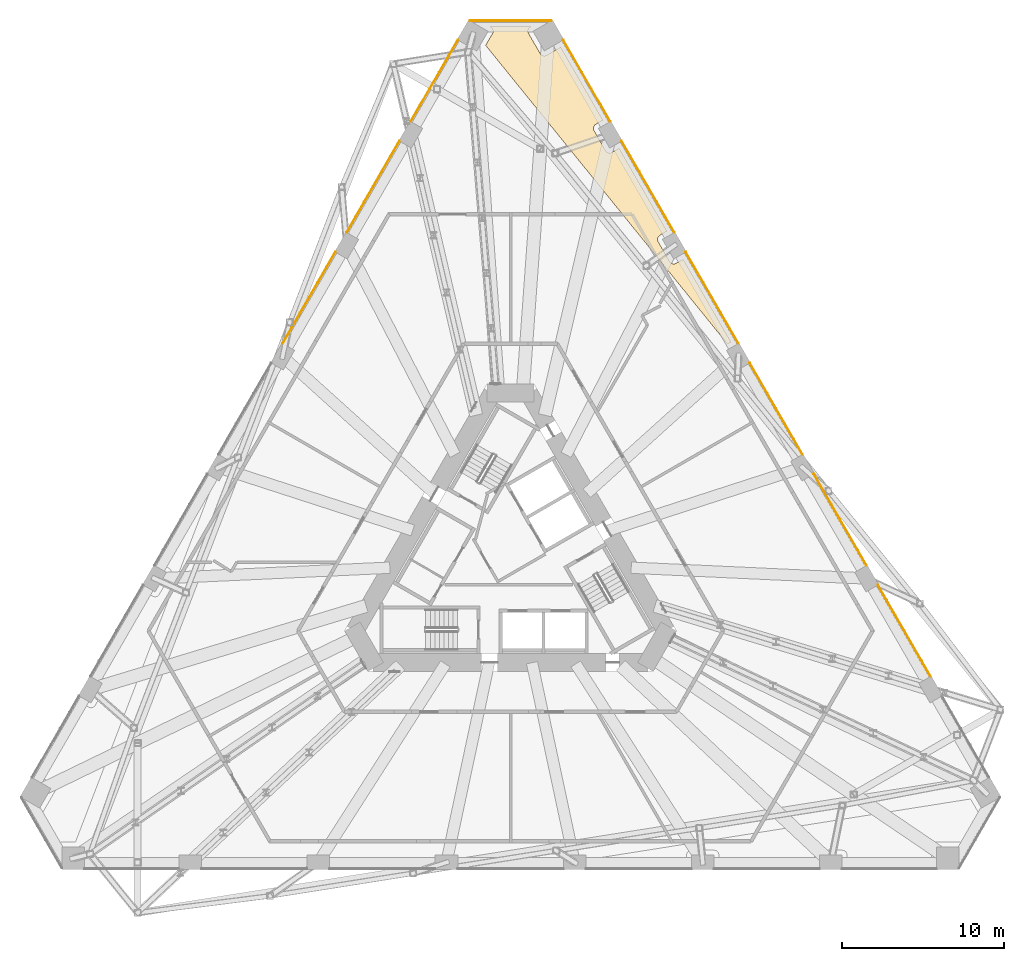
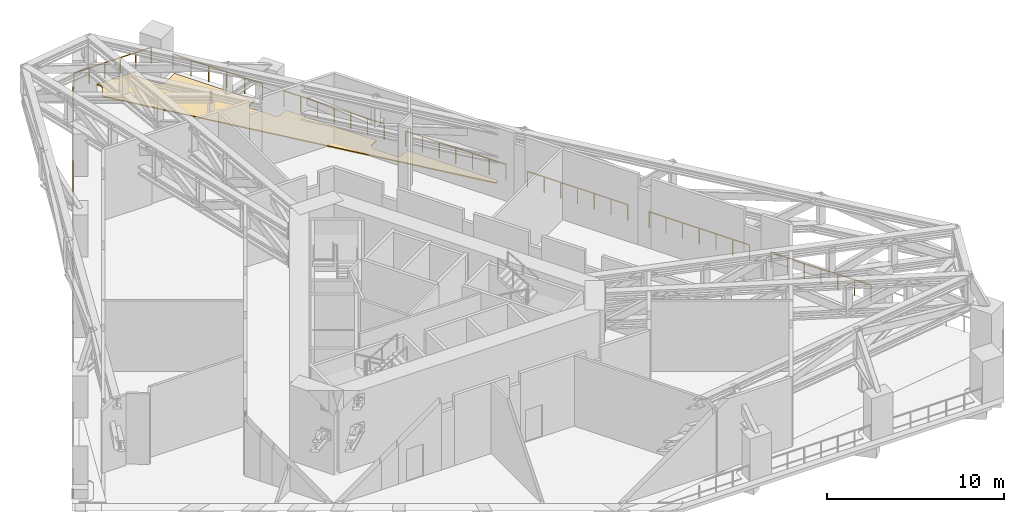
# One storey, part 20 of 20: 10 railings, 2 coverings.
"""IFC4 building model written with IfcOpenShell, lengths in metres."""

from ifc_helpers import new_model, si_unit, direction, frame, origin, origin_2d, place, context, subcontext, project, spatial, polyline, circle, outline, extrude, material, layer, layer_set, type_object, element, save


model = new_model("IFC4")

# Units and contexts
model_context = context("Model", 3, precision=1e-05, world=origin(), true_north=direction((0.0, 1.0)))
body_context = subcontext(model_context, "Body", "Model", "MODEL_VIEW")
ifc_project = project(units=[si_unit("LENGTHUNIT", "METRE"), si_unit("AREAUNIT", "SQUARE_METRE"), si_unit("VOLUMEUNIT", "CUBIC_METRE"), si_unit("PLANEANGLEUNIT", "RADIAN"), si_unit("MASSUNIT", "GRAM", prefix="KILO")], contexts=[model_context])

# Site, building, storey
site_placement = place(None, origin())
site = spatial("IfcSite", under=ifc_project, at=site_placement, CompositionType="ELEMENT")
building_placement = place(site_placement, origin())
building = spatial("IfcBuilding", under=site, at=building_placement, Name="Tramontana Tower", CompositionType="ELEMENT")
storey_placement = place(building_placement, frame((0.0, 0.0, 46.0)))
storey = spatial("IfcBuildingStorey", under=building, at=storey_placement, Name="L09", CompositionType="ELEMENT", Elevation=46.0)

# Railings
ifc_material_1 = material(Name="Stainless steel rail and posts", Category="steel")
railing_type = type_object("IfcRailingType", Name="GD2 Terrace guard 1100", PredefinedType="GUARDRAIL", material=ifc_material_1)
for number, where, name in (
    (1, (-10.82275390625, 19.154541015625, 0.0), "Edge guard L09 8"),
    (2, (-6.86376953125, 26.01171875, 0.0), "Edge guard L09 10"),
):
    element("IfcRailing", number, at=place(storey_placement, frame(where)), inside=storey, type_object=railing_type, Name=name, PredefinedType="GUARDRAIL", context=body_context, shape_type="SweptSolid", body=[
        extrude(circle(Radius=0.02392578125, at=origin_2d()), frame((0.0, 0.0, 1.076171875), z_axis=(-0.500002371706, -0.866024034475, 0.0), x_axis=(0.866024034475, -0.500002371706, 0.0)), (0.0, 0.0, 1.0), 6.51806640625),
        extrude(circle(Radius=0.02099609375, at=origin_2d()), origin(), (0.0, 0.0, 1.0), 1.052001953125),
        extrude(circle(Radius=0.02099609375, at=origin_2d()), frame((-0.543212890625, -0.94091796875, 0.0)), (0.0, 0.0, 1.0), 1.052001953125),
        extrude(circle(Radius=0.02099609375, at=origin_2d()), frame((-1.08642578125, -1.881591796875, 0.0)), (0.0, 0.0, 1.0), 1.052001953125),
        extrude(circle(Radius=0.02099609375, at=origin_2d()), frame((-1.62939453125, -2.822265625, 0.0)), (0.0, 0.0, 1.0), 1.052001953125),
        extrude(circle(Radius=0.02099609375, at=origin_2d()), frame((-2.172607421875, -3.76318359375, 0.0)), (0.0, 0.0, 1.0), 1.052001953125),
        extrude(circle(Radius=0.02099609375, at=origin_2d()), frame((-2.7158203125, -4.7041015625, 0.0)), (0.0, 0.0, 1.0), 1.052001953125),
        extrude(circle(Radius=0.02099609375, at=origin_2d()), frame((-3.259033203125, -5.644775390625, 0.0)), (0.0, 0.0, 1.0), 1.052001953125),
    ])
railing_1_placement = place(storey_placement, frame((-3.2548828125, 32.262451171875, 0.0)))
element("IfcRailing", 3, at=railing_1_placement, inside=storey, type_object=railing_type, Name="Edge guard L09 11", PredefinedType="GUARDRAIL", context=body_context, shape_type="SweptSolid", body=[
    extrude(circle(Radius=0.02392578125, at=origin_2d()), frame((0.0, 0.0, 1.076171875), z_axis=(-0.500007002644, -0.866021360769, 0.0), x_axis=(0.866021360769, -0.500007002644, 0.0)), (0.0, 0.0, 1.0), 5.81787109375),
    extrude(circle(Radius=0.02099609375, at=origin_2d()), origin(), (0.0, 0.0, 1.0), 1.052001953125),
    extrude(circle(Radius=0.02099609375, at=origin_2d()), frame((-0.581787109375, -1.007568359375, 0.0)), (0.0, 0.0, 1.0), 1.052001953125),
    extrude(circle(Radius=0.02099609375, at=origin_2d()), frame((-1.16357421875, -2.015380859375, 0.0)), (0.0, 0.0, 1.0), 1.052001953125),
    extrude(circle(Radius=0.02099609375, at=origin_2d()), frame((-1.745361328125, -3.02294921875, 0.0)), (0.0, 0.0, 1.0), 1.052001953125),
    extrude(circle(Radius=0.02099609375, at=origin_2d()), frame((-2.3271484375, -4.03076171875, 0.0)), (0.0, 0.0, 1.0), 1.052001953125),
    extrude(circle(Radius=0.02099609375, at=origin_2d()), frame((-2.908935546875, -5.038330078125, 0.0)), (0.0, 0.0, 1.0), 1.052001953125),
])
railing_2_placement = place(storey_placement, frame((2.511474609375, 33.449951171875, 0.0)))
element("IfcRailing", 4, at=railing_2_placement, inside=storey, type_object=railing_type, Name="Edge guard L09 13", PredefinedType="GUARDRAIL", context=body_context, shape_type="SweptSolid", body=[
    extrude(circle(Radius=0.02392578125, at=origin_2d()), frame((0.0, 0.0, 1.076171875), z_axis=(-1.0, 0.0, 0.0), x_axis=(0.0, -1.0, 0.0)), (0.0, 0.0, 1.0), 5.02294921875),
    extrude(circle(Radius=0.02099609375, at=origin_2d()), origin(), (0.0, 0.0, 1.0), 1.052001953125),
    extrude(circle(Radius=0.02099609375, at=origin_2d()), frame((-1.004638671875, 0.0, 0.0)), (0.0, 0.0, 1.0), 1.052001953125),
    extrude(circle(Radius=0.02099609375, at=origin_2d()), frame((-2.00927734375, 0.0, 0.0)), (0.0, 0.0, 1.0), 1.052001953125),
    extrude(circle(Radius=0.02099609375, at=origin_2d()), frame((-3.013671875, 0.0, 0.0)), (0.0, 0.0, 1.0), 1.052001953125),
    extrude(circle(Radius=0.02099609375, at=origin_2d()), frame((-4.018310546875, 0.0, 0.0)), (0.0, 0.0, 1.0), 1.052001953125),
    extrude(circle(Radius=0.02099609375, at=origin_2d()), frame((-5.02294921875, 0.0, 0.0)), (0.0, 0.0, 1.0), 1.052001953125),
])
railing_3_placement = place(storey_placement, frame((6.163818359375, 27.22412109375, 0.0)))
element("IfcRailing", 5, at=railing_3_placement, inside=storey, type_object=railing_type, Name="Edge guard L09 14", PredefinedType="GUARDRAIL", context=body_context, shape_type="SweptSolid", body=[
    extrude(circle(Radius=0.02392578125, at=origin_2d()), frame((0.0, 0.0, 1.076171875), z_axis=(-0.500007002644, 0.866021360769, 0.0), x_axis=(-0.866021360769, -0.500007002644, 0.0)), (0.0, 0.0, 1.0), 5.81787109375),
    extrude(circle(Radius=0.02099609375, at=origin_2d()), origin(), (0.0, 0.0, 1.0), 1.052001953125),
    extrude(circle(Radius=0.02099609375, at=origin_2d()), frame((-0.581787109375, 1.007568359375, 0.0)), (0.0, 0.0, 1.0), 1.052001953125),
    extrude(circle(Radius=0.02099609375, at=origin_2d()), frame((-1.16357421875, 2.015380859375, 0.0)), (0.0, 0.0, 1.0), 1.052001953125),
    extrude(circle(Radius=0.02099609375, at=origin_2d()), frame((-1.745361328125, 3.02294921875, 0.0)), (0.0, 0.0, 1.0), 1.052001953125),
    extrude(circle(Radius=0.02099609375, at=origin_2d()), frame((-2.3271484375, 4.03076171875, 0.0)), (0.0, 0.0, 1.0), 1.052001953125),
    extrude(circle(Radius=0.02099609375, at=origin_2d()), frame((-2.908935546875, 5.038330078125, 0.0)), (0.0, 0.0, 1.0), 1.052001953125),
])
for number, where, name in (
    (6, (10.122802734375, 20.366943359375, 0.0), "Edge guard L09 16"),
    (7, (14.081787109375, 13.509765625, 0.0), "Edge guard L09 17"),
    (8, (18.040771484375, 6.652587890625, 0.0), "Edge guard L09 19"),
    (9, (21.999755859375, -0.20458984375, 0.0), "Edge guard L09 20"),
):
    element("IfcRailing", number, at=place(storey_placement, frame(where)), inside=storey, type_object=railing_type, Name=name, PredefinedType="GUARDRAIL", context=body_context, shape_type="SweptSolid", body=[
        extrude(circle(Radius=0.02392578125, at=origin_2d()), frame((0.0, 0.0, 1.076171875), z_axis=(-0.500002371706, 0.866024034475, 0.0), x_axis=(-0.866024034475, -0.500002371706, 0.0)), (0.0, 0.0, 1.0), 6.51806640625),
        extrude(circle(Radius=0.02099609375, at=origin_2d()), origin(), (0.0, 0.0, 1.0), 1.052001953125),
        extrude(circle(Radius=0.02099609375, at=origin_2d()), frame((-0.543212890625, 0.94091796875, 0.0)), (0.0, 0.0, 1.0), 1.052001953125),
        extrude(circle(Radius=0.02099609375, at=origin_2d()), frame((-1.08642578125, 1.881591796875, 0.0)), (0.0, 0.0, 1.0), 1.052001953125),
        extrude(circle(Radius=0.02099609375, at=origin_2d()), frame((-1.62939453125, 2.822265625, 0.0)), (0.0, 0.0, 1.0), 1.052001953125),
        extrude(circle(Radius=0.02099609375, at=origin_2d()), frame((-2.172607421875, 3.76318359375, 0.0)), (0.0, 0.0, 1.0), 1.052001953125),
        extrude(circle(Radius=0.02099609375, at=origin_2d()), frame((-2.7158203125, 4.7041015625, 0.0)), (0.0, 0.0, 1.0), 1.052001953125),
        extrude(circle(Radius=0.02099609375, at=origin_2d()), frame((-3.259033203125, 5.644775390625, 0.0)), (0.0, 0.0, 1.0), 1.052001953125),
    ])
railing_4_placement = place(storey_placement, frame((25.95849609375, -7.0615234375, 0.0)))
element("IfcRailing", 10, at=railing_4_placement, inside=storey, type_object=railing_type, Name="Edge guard L09 22", PredefinedType="GUARDRAIL", context=body_context, shape_type="SweptSolid", body=[
    extrude(circle(Radius=0.02392578125, at=origin_2d()), frame((0.0, 0.0, 1.076171875), z_axis=(-0.499990498062, 0.866030889661, 0.0), x_axis=(-0.866030889661, -0.499990498062, 0.0)), (0.0, 0.0, 1.0), 6.517822265625),
    extrude(circle(Radius=0.02099609375, at=origin_2d()), origin(), (0.0, 0.0, 1.0), 1.052001953125),
    extrude(circle(Radius=0.02099609375, at=origin_2d()), frame((-0.543212890625, 0.940673828125, 0.0)), (0.0, 0.0, 1.0), 1.052001953125),
    extrude(circle(Radius=0.02099609375, at=origin_2d()), frame((-1.086181640625, 1.881591796875, 0.0)), (0.0, 0.0, 1.0), 1.052001953125),
    extrude(circle(Radius=0.02099609375, at=origin_2d()), frame((-1.62939453125, 2.822265625, 0.0)), (0.0, 0.0, 1.0), 1.052001953125),
    extrude(circle(Radius=0.02099609375, at=origin_2d()), frame((-2.172607421875, 3.762939453125, 0.0)), (0.0, 0.0, 1.0), 1.052001953125),
    extrude(circle(Radius=0.02099609375, at=origin_2d()), frame((-2.715576171875, 4.703857421875, 0.0)), (0.0, 0.0, 1.0), 1.052001953125),
    extrude(circle(Radius=0.02099609375, at=origin_2d()), frame((-3.2587890625, 5.64453125, 0.0)), (0.0, 0.0, 1.0), 1.052001953125),
])

# Coverings
ifc_material_2 = material(Name="Limestone paving 60", Category="masonry")
ifc_layer_1 = layer(ifc_material_2, 0.06005859375)
ifc_layer_set_1 = layer_set([ifc_layer_1], Name="PV1 Terrace paving 60")
covering_type_1 = type_object("IfcCoveringType", Name="PV1 Terrace paving 60", PredefinedType="FLOORING", material=ifc_layer_set_1)
covering_1_placement = place(storey_placement, frame((0.0, 0.0, 0.010009765625)))
element("IfcCovering", 11, at=covering_1_placement, inside=storey, type_object=covering_type_1, Name="Terrace paving L09 1", PredefinedType="FLOORING", context=body_context, shape_type="SweptSolid", body=[
    extrude(outline(polyline([(1.30517578125, 33.10009765625), (1.235595703125, 33.059814453125), (1.2109375, 33.0439453125), (1.187744140625, 33.025634765625), (1.166748046875, 33.005126953125), (1.147705078125, 32.982666015625), (1.130859375, 32.95849609375), (1.11669921875, 32.9326171875), (1.10498046875, 32.90576171875), (1.095947265625, 32.877685546875), (1.089599609375, 32.848876953125), (1.086181640625, 32.819580078125), (1.085693359375, 32.790283203125), (1.088134765625, 32.7607421875), (1.093505859375, 32.73193359375), (1.1015625, 32.70361328125), (1.1123046875, 32.67626953125), (1.125732421875, 32.64990234375), (1.825927734375, 31.4375), (1.841796875, 31.412841796875), (1.860107421875, 31.3896484375), (1.880615234375, 31.36865234375), (1.903076171875, 31.349609375), (1.92724609375, 31.332763671875), (1.952880859375, 31.318603515625), (1.97998046875, 31.306884765625), (2.008056640625, 31.2978515625), (2.036865234375, 31.29150390625), (2.06591796875, 31.2880859375), (2.095458984375, 31.287841796875), (2.124755859375, 31.2900390625), (2.15380859375, 31.29541015625), (2.18212890625, 31.303466796875), (2.20947265625, 31.314208984375), (2.235595703125, 31.32763671875), (3.1015625, 31.82763671875), (5.710693359375, 27.308837890625), (5.277587890625, 27.058837890625), (5.2529296875, 27.04296875), (5.229736328125, 27.024658203125), (5.208740234375, 27.004150390625), (5.189697265625, 26.981689453125), (5.1728515625, 26.95751953125), (5.158447265625, 26.931640625), (5.14697265625, 26.90478515625), (5.137939453125, 26.876708984375), (5.131591796875, 26.847900390625), (5.128173828125, 26.818603515625), (5.127685546875, 26.789306640625), (5.130126953125, 26.760009765625), (5.135498046875, 26.73095703125), (5.1435546875, 26.70263671875), (5.154296875, 26.67529296875), (5.167724609375, 26.649169921875), (5.867919921875, 25.4365234375), (5.8837890625, 25.411865234375), (5.902099609375, 25.388916015625), (5.922607421875, 25.36767578125), (5.945068359375, 25.3486328125), (5.96923828125, 25.331787109375), (5.994873046875, 25.317626953125), (6.02197265625, 25.305908203125), (6.050048828125, 25.296875), (6.078857421875, 25.29052734375), (6.10791015625, 25.287353515625), (6.137451171875, 25.286865234375), (6.166748046875, 25.289306640625), (6.19580078125, 25.29443359375), (6.22412109375, 25.302490234375), (6.25146484375, 25.3134765625), (6.277587890625, 25.326904296875), (6.710693359375, 25.576904296875), (9.669677734375, 20.45166015625), (9.236572265625, 20.20166015625), (9.2119140625, 20.185791015625), (9.188720703125, 20.16748046875), (9.167724609375, 20.14697265625), (9.148681640625, 20.12451171875), (9.1318359375, 20.100341796875), (9.117431640625, 20.07470703125), (9.105712890625, 20.047607421875), (9.096923828125, 20.01953125), (9.090576171875, 19.99072265625), (9.087158203125, 19.961669921875), (9.086669921875, 19.93212890625), (9.089111328125, 19.90283203125), (9.094482421875, 19.873779296875), (9.1025390625, 19.845458984375), (9.11328125, 19.818115234375), (9.126708984375, 19.7919921875), (9.826904296875, 18.57958984375), (9.8427734375, 18.5546875), (9.861083984375, 18.53173828125), (9.881591796875, 18.510498046875), (9.904052734375, 18.491455078125), (9.92822265625, 18.474853515625), (9.953857421875, 18.46044921875), (9.98095703125, 18.44873046875), (10.009033203125, 18.439697265625), (10.037841796875, 18.43359375), (10.06689453125, 18.43017578125), (10.096435546875, 18.4296875), (10.125732421875, 18.43212890625), (10.15478515625, 18.437255859375), (10.18310546875, 18.4453125), (10.21044921875, 18.456298828125), (10.236572265625, 18.4697265625), (10.669677734375, 18.7197265625), (13.628662109375, 13.594482421875), (13.412109375, 13.4697265625), (-1.53955078125, 31.93359375), (-1.125732421875, 32.64990234375), (-1.1123046875, 32.67626953125), (-1.1015625, 32.70361328125), (-1.093505859375, 32.73193359375), (-1.088134765625, 32.7607421875), (-1.085693359375, 32.790283203125), (-1.086181640625, 32.819580078125), (-1.089599609375, 32.848876953125), (-1.095947265625, 32.877685546875), (-1.10498046875, 32.90576171875), (-1.11669921875, 32.9326171875), (-1.130859375, 32.95849609375), (-1.147705078125, 32.982666015625), (-1.166748046875, 33.005126953125), (-1.187744140625, 33.025634765625), (-1.2109375, 33.0439453125), (-1.235595703125, 33.059814453125), (-1.30517578125, 33.10009765625), (1.30517578125, 33.10009765625)])), origin(), (0.0, 0.0, 1.0), 0.06005859375),
])
ifc_material_3 = material(Name="Bituminous waterproofing membrane")
ifc_layer_2 = layer(ifc_material_3, 0.010009765625)
ifc_layer_set_2 = layer_set([ifc_layer_2], Name="WP1 Terrace waterproofing membrane 10")
covering_type_2 = type_object("IfcCoveringType", Name="WP1 Terrace waterproofing membrane 10", PredefinedType="MEMBRANE", material=ifc_layer_set_2)
covering_2_placement = place(storey_placement, origin())
element("IfcCovering", 12, at=covering_2_placement, inside=storey, type_object=covering_type_2, Name="Terrace membrane L09 1", PredefinedType="MEMBRANE", context=body_context, shape_type="SweptSolid", body=[
    extrude(outline(polyline([(1.30517578125, 33.10009765625), (1.235595703125, 33.059814453125), (1.2109375, 33.0439453125), (1.187744140625, 33.025634765625), (1.166748046875, 33.005126953125), (1.147705078125, 32.982666015625), (1.130859375, 32.95849609375), (1.11669921875, 32.9326171875), (1.10498046875, 32.90576171875), (1.095947265625, 32.877685546875), (1.089599609375, 32.848876953125), (1.086181640625, 32.819580078125), (1.085693359375, 32.790283203125), (1.088134765625, 32.7607421875), (1.093505859375, 32.73193359375), (1.1015625, 32.70361328125), (1.1123046875, 32.67626953125), (1.125732421875, 32.64990234375), (1.825927734375, 31.4375), (1.841796875, 31.412841796875), (1.860107421875, 31.3896484375), (1.880615234375, 31.36865234375), (1.903076171875, 31.349609375), (1.92724609375, 31.332763671875), (1.952880859375, 31.318603515625), (1.97998046875, 31.306884765625), (2.008056640625, 31.2978515625), (2.036865234375, 31.29150390625), (2.06591796875, 31.2880859375), (2.095458984375, 31.287841796875), (2.124755859375, 31.2900390625), (2.15380859375, 31.29541015625), (2.18212890625, 31.303466796875), (2.20947265625, 31.314208984375), (2.235595703125, 31.32763671875), (3.1015625, 31.82763671875), (5.710693359375, 27.308837890625), (5.277587890625, 27.058837890625), (5.2529296875, 27.04296875), (5.229736328125, 27.024658203125), (5.208740234375, 27.004150390625), (5.189697265625, 26.981689453125), (5.1728515625, 26.95751953125), (5.158447265625, 26.931640625), (5.14697265625, 26.90478515625), (5.137939453125, 26.876708984375), (5.131591796875, 26.847900390625), (5.128173828125, 26.818603515625), (5.127685546875, 26.789306640625), (5.130126953125, 26.760009765625), (5.135498046875, 26.73095703125), (5.1435546875, 26.70263671875), (5.154296875, 26.67529296875), (5.167724609375, 26.649169921875), (5.867919921875, 25.4365234375), (5.8837890625, 25.411865234375), (5.902099609375, 25.388916015625), (5.922607421875, 25.36767578125), (5.945068359375, 25.3486328125), (5.96923828125, 25.331787109375), (5.994873046875, 25.317626953125), (6.02197265625, 25.305908203125), (6.050048828125, 25.296875), (6.078857421875, 25.29052734375), (6.10791015625, 25.287353515625), (6.137451171875, 25.286865234375), (6.166748046875, 25.289306640625), (6.19580078125, 25.29443359375), (6.22412109375, 25.302490234375), (6.25146484375, 25.3134765625), (6.277587890625, 25.326904296875), (6.710693359375, 25.576904296875), (9.669677734375, 20.45166015625), (9.236572265625, 20.20166015625), (9.2119140625, 20.185791015625), (9.188720703125, 20.16748046875), (9.167724609375, 20.14697265625), (9.148681640625, 20.12451171875), (9.1318359375, 20.100341796875), (9.117431640625, 20.07470703125), (9.105712890625, 20.047607421875), (9.096923828125, 20.01953125), (9.090576171875, 19.99072265625), (9.087158203125, 19.961669921875), (9.086669921875, 19.93212890625), (9.089111328125, 19.90283203125), (9.094482421875, 19.873779296875), (9.1025390625, 19.845458984375), (9.11328125, 19.818115234375), (9.126708984375, 19.7919921875), (9.826904296875, 18.57958984375), (9.8427734375, 18.5546875), (9.861083984375, 18.53173828125), (9.881591796875, 18.510498046875), (9.904052734375, 18.491455078125), (9.92822265625, 18.474853515625), (9.953857421875, 18.46044921875), (9.98095703125, 18.44873046875), (10.009033203125, 18.439697265625), (10.037841796875, 18.43359375), (10.06689453125, 18.43017578125), (10.096435546875, 18.4296875), (10.125732421875, 18.43212890625), (10.15478515625, 18.437255859375), (10.18310546875, 18.4453125), (10.21044921875, 18.456298828125), (10.236572265625, 18.4697265625), (10.669677734375, 18.7197265625), (13.628662109375, 13.594482421875), (13.412109375, 13.4697265625), (-1.53955078125, 31.93359375), (-1.125732421875, 32.64990234375), (-1.1123046875, 32.67626953125), (-1.1015625, 32.70361328125), (-1.093505859375, 32.73193359375), (-1.088134765625, 32.7607421875), (-1.085693359375, 32.790283203125), (-1.086181640625, 32.819580078125), (-1.089599609375, 32.848876953125), (-1.095947265625, 32.877685546875), (-1.10498046875, 32.90576171875), (-1.11669921875, 32.9326171875), (-1.130859375, 32.95849609375), (-1.147705078125, 32.982666015625), (-1.166748046875, 33.005126953125), (-1.187744140625, 33.025634765625), (-1.2109375, 33.0439453125), (-1.235595703125, 33.059814453125), (-1.30517578125, 33.10009765625), (1.30517578125, 33.10009765625)])), origin(), (0.0, 0.0, 1.0), 0.010009765625),
])

save(model, "model.ifc")
